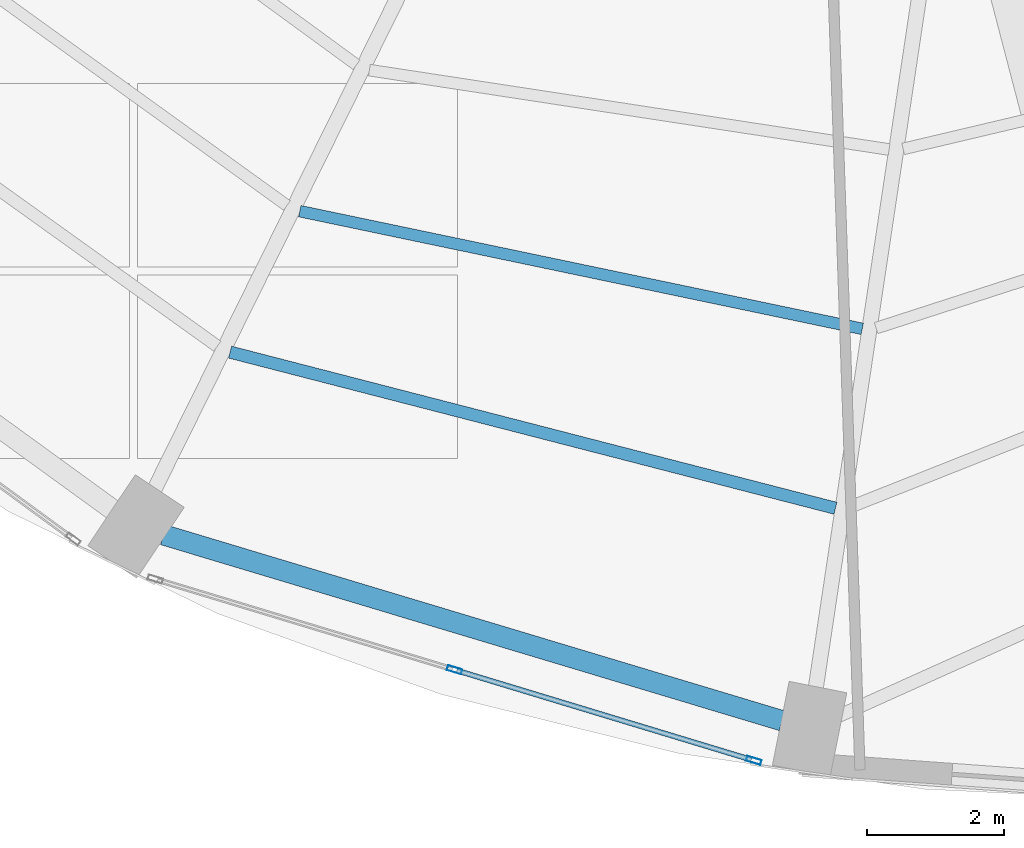
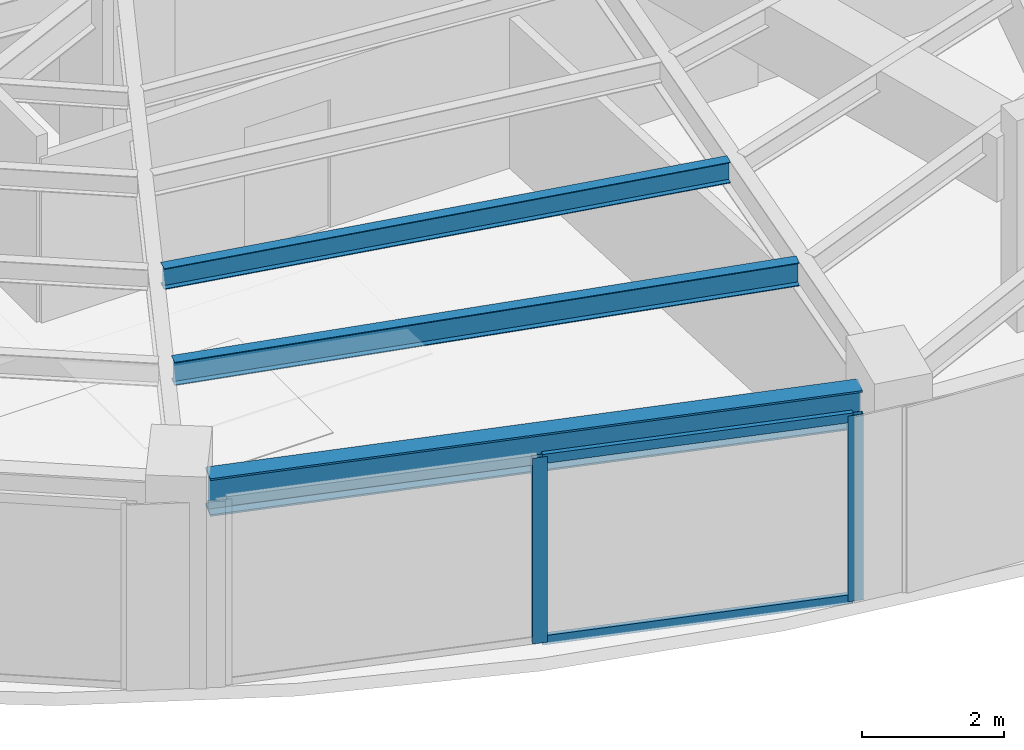
# One storey, part 5 of 24: 4 members, 3 beams, 1 element without a shape of its own.
"""IFC4 building model written with IfcOpenShell, lengths in metres."""

from ifc_helpers import new_model, si_unit, direction, frame, origin, origin_2d, place, context, subcontext, project, spatial, hollow_rectangle, i_section, extrude, material, layer, layer_set, material_profile, profile_set, type_object, element, aggregate, save


model = new_model("IFC4")

# Units and contexts
model_context = context("Model", 3, precision=1e-05, world=origin(), true_north=direction((0.0, 1.0)))
body_context = subcontext(model_context, "Body", "Model", "MODEL_VIEW")
ifc_project = project(units=[si_unit("LENGTHUNIT", "METRE"), si_unit("AREAUNIT", "SQUARE_METRE"), si_unit("VOLUMEUNIT", "CUBIC_METRE"), si_unit("PLANEANGLEUNIT", "RADIAN"), si_unit("MASSUNIT", "GRAM", prefix="KILO")], contexts=[model_context])

# Site, building, storey
site_placement = place(None, origin())
site = spatial("IfcSite", under=ifc_project, at=site_placement, CompositionType="ELEMENT")
building_placement = place(site_placement, origin())
building = spatial("IfcBuilding", under=site, at=building_placement, Name="Lazwardi Medical Tower", CompositionType="ELEMENT")
storey_placement = place(building_placement, frame((0.0, 0.0, 72.6240234375)))
storey = spatial("IfcBuildingStorey", under=building, at=storey_placement, Name="L18", CompositionType="ELEMENT", Elevation=72.6240234375)

# Beams
ifc_material_1 = material(Name="Steel S355", Category="steel")
ifc_material_profile_1 = material_profile(ifc_material_1, i_section(OverallWidth=0.300048828125, OverallDepth=0.64990234375, WebThickness=0.01611328125, FlangeThickness=0.031005859375, at=origin_2d()), Name="HEB 650")
ifc_profile_set_1 = profile_set([ifc_material_profile_1], Name="Steel S355")
beam_type_1 = type_object("IfcBeamType", Name="BM-RB-Z1", PredefinedType="BEAM", material=ifc_profile_set_1)
beam_1_placement = place(storey_placement, frame((21.22119140625, 8.9951171875, 2.873046875), z_axis=(0.957695289269, -0.287784177662, 0.0), x_axis=(0.287784177662, 0.957695289269, 0.0)))
element("IfcBeam", 1, at=beam_1_placement, inside=storey, type_object=beam_type_1, Name="Ring beam RB-02 B15 L18", PredefinedType="BEAM", context=body_context, shape_type="SweptSolid", body=[
    extrude(i_section(OverallWidth=0.300048828125, OverallDepth=0.64990234375, WebThickness=0.01611328125, FlangeThickness=0.031005859375, at=origin_2d()), origin(), (0.0, 0.0, 1.0), 9.445556640625),
])
ifc_material_profile_2 = material_profile(ifc_material_1, i_section(OverallWidth=0.179931640625, OverallDepth=0.39990234375, WebThickness=0.008544921875, FlangeThickness=0.013427734375, at=origin_2d()), Name="IPE 400")
ifc_profile_set_2 = profile_set([ifc_material_profile_2], Name="Steel S355")
beam_type_2 = type_object("IfcBeamType", Name="BM-SJ-01", PredefinedType="JOIST", material=ifc_profile_set_2)
beam_2_placement = place(storey_placement, frame((22.195068359375, 11.666748046875, 2.998046875), z_axis=(0.968316918308, -0.249724539682, 0.0), x_axis=(0.249724539682, 0.968316918308, 0.0)))
element("IfcBeam", 2, at=beam_2_placement, inside=storey, type_object=beam_type_2, Name="Secondary joist SJ-01 R1 B15 L18", PredefinedType="JOIST", context=body_context, shape_type="SweptSolid", body=[
    extrude(i_section(OverallWidth=0.179931640625, OverallDepth=0.39990234375, WebThickness=0.008544921875, FlangeThickness=0.013427734375, at=origin_2d()), origin(), (0.0, 0.0, 1.0), 9.140869140625),
])
ifc_material_profile_3 = material_profile(ifc_material_1, i_section(OverallWidth=0.169921875, OverallDepth=0.360107421875, WebThickness=0.008056640625, FlangeThickness=0.0126953125, at=origin_2d()), Name="IPE 360")
ifc_profile_set_3 = profile_set([ifc_material_profile_3], Name="Steel S355")
beam_type_3 = type_object("IfcBeamType", Name="BM-SJ-02", PredefinedType="JOIST", material=ifc_profile_set_3)
beam_3_placement = place(storey_placement, frame((23.213623046875, 13.728271484375, 3.01806640625), z_axis=(0.978809182847, -0.204774470026, 0.0), x_axis=(0.204774470026, 0.978809182847, 0.0)))
element("IfcBeam", 3, at=beam_3_placement, inside=storey, type_object=beam_type_3, Name="Secondary joist SJ-02 R2 B15 L18", PredefinedType="JOIST", context=body_context, shape_type="SweptSolid", body=[
    extrude(i_section(OverallWidth=0.169921875, OverallDepth=0.360107421875, WebThickness=0.008056640625, FlangeThickness=0.0126953125, at=origin_2d()), origin(), (0.0, 0.0, 1.0), 8.40283203125),
])

# Curtain wall, members
ifc_material_2 = material(Name="Anodised bronze aluminium and solar control glazing", Category="aluminium")
ifc_layer = layer(ifc_material_2, 0.199951171875)
ifc_layer_set = layer_set([ifc_layer], Name="Anodised bronze aluminium and solar control glazing")
curtain_wall_type = type_object("IfcCurtainWallType", Name="CW-SYS-02", PredefinedType="NOTDEFINED", material=ifc_layer_set)
curtain_wall_placement = place(storey_placement, origin())
curtain_wall = element("IfcCurtainWall", 4, at=curtain_wall_placement, inside=storey, type_object=curtain_wall_type, Name="L18 Unitised bronze curtain wall CW-02", PredefinedType="NOTDEFINED")
ifc_material_3 = material(Name="Anodised bronze aluminium", Category="aluminium")
ifc_material_profile_4 = material_profile(ifc_material_3, hollow_rectangle(XDim=0.074951171875, YDim=0.219970703125, WallThickness=0.00390625, at=origin_2d()), Name="ALU-MULLION 220x75x4")
ifc_profile_set_4 = profile_set([ifc_material_profile_4], Name="Anodised bronze aluminium")
member_type_1 = type_object("IfcMemberType", Name="CW-MUL-01", PredefinedType="MULLION", material=ifc_profile_set_4)
member_1_placement = place(storey_placement, frame((25.476806640625, 7.021484375, 0.0), z_axis=(0.0, 0.0, 1.0), x_axis=(0.2898956909, 0.957058247129, 0.0)))
member_1 = element("IfcMember", 5, at=member_1_placement, type_object=member_type_1, Name="CW-02 mullion 2", PredefinedType="MULLION", context=body_context, shape_type="SweptSolid", body=[
    extrude(hollow_rectangle(XDim=0.074951171875, YDim=0.219970703125, WallThickness=0.00390625, at=origin_2d()), origin(), (0.0, 0.0, 1.0), 3.197998046875),
])
member_2_placement = place(storey_placement, frame((29.85205078125, 5.6962890625, 0.0), z_axis=(0.0, 0.0, 1.0), x_axis=(0.2898956909, 0.957058247129, 0.0)))
member_2 = element("IfcMember", 6, at=member_2_placement, type_object=member_type_1, Name="CW-02 mullion 3", PredefinedType="MULLION", context=body_context, shape_type="SweptSolid", body=[
    extrude(hollow_rectangle(XDim=0.074951171875, YDim=0.219970703125, WallThickness=0.00390625, at=origin_2d()), origin(), (0.0, 0.0, 1.0), 3.197998046875),
])
ifc_material_profile_5 = material_profile(ifc_material_3, hollow_rectangle(XDim=0.074951171875, YDim=0.159912109375, WallThickness=0.00390625, at=origin_2d()), Name="ALU-TRANSOM 160x75x4")
ifc_profile_set_5 = profile_set([ifc_material_profile_5], Name="Anodised bronze aluminium")
member_type_2 = type_object("IfcMemberType", Name="CW-TRN-01", PredefinedType="USERDEFINED", material=ifc_profile_set_5)
member_3_placement = place(storey_placement, frame((25.5126953125, 7.0107421875, 0.03759765625), z_axis=(0.957047233423, -0.28993204893, 0.0), x_axis=(0.28993204893, 0.957047233423, 0.0)))
member_3 = element("IfcMember", 7, at=member_3_placement, type_object=member_type_2, Name="CW-02 transom 2.1", ObjectType="TRANSOM", PredefinedType="USERDEFINED", context=body_context, shape_type="SweptSolid", body=[
    extrude(hollow_rectangle(XDim=0.074951171875, YDim=0.159912109375, WallThickness=0.00390625, at=origin_2d()), origin(), (0.0, 0.0, 1.0), 4.49658203125),
])
member_4_placement = place(storey_placement, frame((25.5126953125, 7.0107421875, 3.160400390625), z_axis=(0.957047233423, -0.28993204893, 0.0), x_axis=(0.28993204893, 0.957047233423, 0.0)))
member_4 = element("IfcMember", 8, at=member_4_placement, type_object=member_type_2, Name="CW-02 transom 2.2", ObjectType="TRANSOM", PredefinedType="USERDEFINED", context=body_context, shape_type="SweptSolid", body=[
    extrude(hollow_rectangle(XDim=0.074951171875, YDim=0.159912109375, WallThickness=0.00390625, at=origin_2d()), origin(), (0.0, 0.0, 1.0), 4.49658203125),
])
aggregate(curtain_wall, [member_1, member_2, member_3, member_4])

save(model, "model.ifc")
